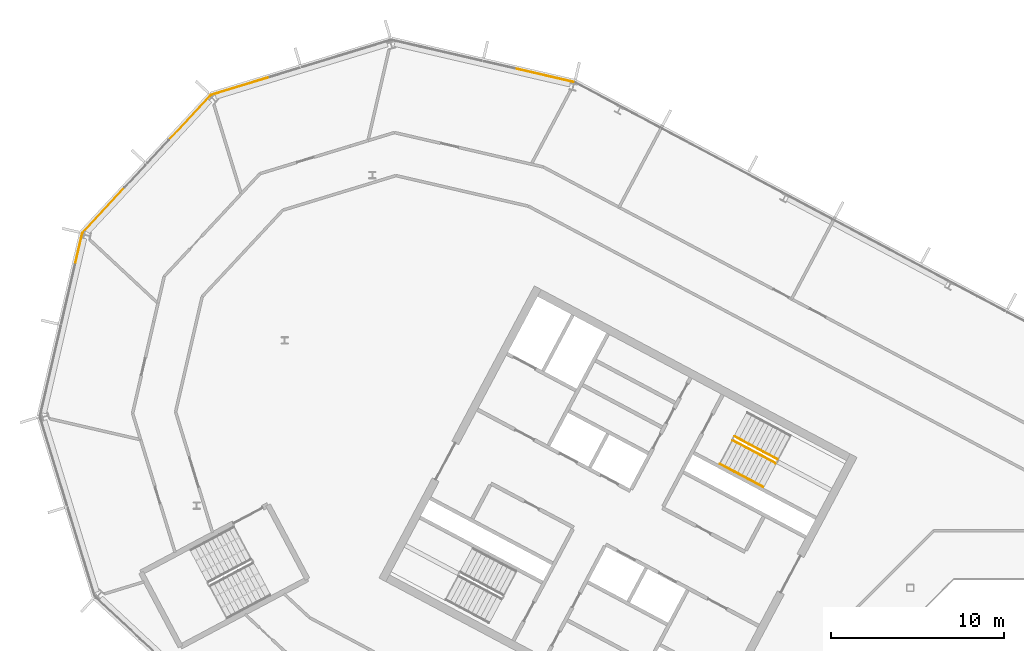
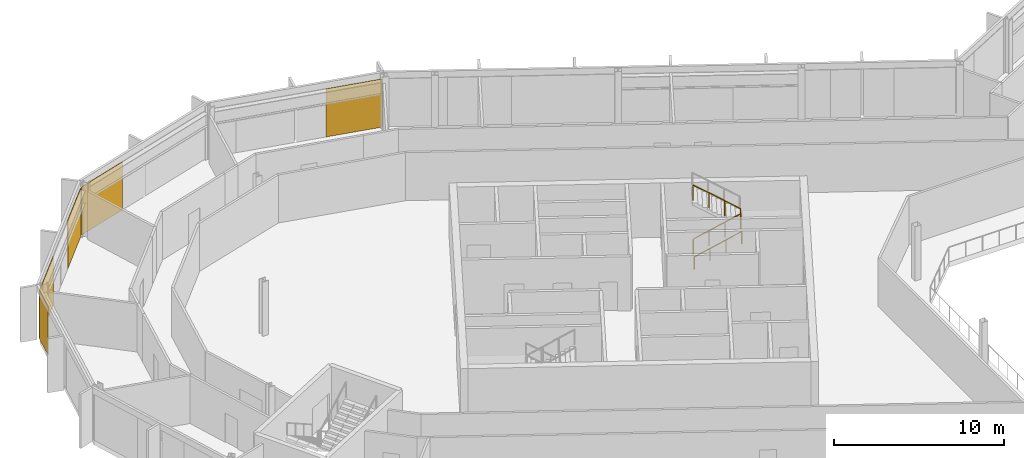
# One storey, part 22 of 26: 5 coverings, 3 railings, 4 elements without a shape of their own.
"""IFC4 building model written with IfcOpenShell, lengths in metres."""

from ifc_helpers import new_model, si_unit, direction, frame, origin, origin_2d, place, context, subcontext, project, spatial, polyline, rectangle, outline, extrude, material, layer, layer_set, type_object, element, aggregate, save


model = new_model("IFC4")

# Units and contexts
model_context = context("Model", 3, precision=1e-05, world=origin(), true_north=direction((0.0, 1.0)))
body_context = subcontext(model_context, "Body", "Model", "MODEL_VIEW")
ifc_project = project(units=[si_unit("LENGTHUNIT", "METRE"), si_unit("AREAUNIT", "SQUARE_METRE"), si_unit("VOLUMEUNIT", "CUBIC_METRE"), si_unit("PLANEANGLEUNIT", "RADIAN"), si_unit("MASSUNIT", "GRAM", prefix="KILO")], contexts=[model_context])

# Site, building, storey
site_placement = place(None, origin())
site = spatial("IfcSite", under=ifc_project, at=site_placement, CompositionType="ELEMENT")
building_placement = place(site_placement, origin())
building = spatial("IfcBuilding", under=site, at=building_placement, Name="Cormorant Relay Tower", CompositionType="ELEMENT")
storey_placement = place(building_placement, frame((0.0, 0.0, 316.5)))
storey = spatial("IfcBuildingStorey", under=building, at=storey_placement, Name="L72", CompositionType="ELEMENT", Elevation=316.5)

# Curtain wall, covering
ifc_material_1 = material(Name="Aluminium 6063-T6 anodised bronze", Category="aluminium")
ifc_layer_1 = layer(ifc_material_1, 0.199951171875)
ifc_layer_set_1 = layer_set([ifc_layer_1], Name="CW1 unitised bronze curtain wall with vertical fins")
curtain_wall_type = type_object("IfcCurtainWallType", Name="CW1 unitised bronze curtain wall with vertical fins", PredefinedType="NOTDEFINED", material=ifc_layer_set_1)
curtain_wall_1_placement = place(storey_placement, origin())
curtain_wall_1 = element("IfcCurtainWall", 1, at=curtain_wall_1_placement, inside=storey, type_object=curtain_wall_type, Name="CW1 curtain wall 10", PredefinedType="NOTDEFINED")
ifc_material_2 = material(Name="Pale bronze anodised aluminium insulated panel", Category="aluminium")
ifc_layer_2 = layer(ifc_material_2, 0.0400390625)
ifc_layer_set_2 = layer_set([ifc_layer_2], Name="CW1 pale bronze insulated panel 40")
covering_type = type_object("IfcCoveringType", Name="CW1 pale bronze insulated panel 40", PredefinedType="CLADDING", material=ifc_layer_set_2)
covering_1_placement = place(storey_placement, frame((-31.640380859375, 40.096435546875, 0.0), z_axis=(0.0, 0.0, 1.0), x_axis=(-0.974370064785, 0.224951054344, 0.0)))
covering_1 = element("IfcCovering", 2, at=covering_1_placement, type_object=covering_type, Name="CW1 panel S00", PredefinedType="CLADDING", context=body_context, shape_type="SweptSolid", body=[
    extrude(rectangle(XDim=3.485107421875, YDim=0.0400390625, at=origin_2d()), origin(), (0.0, 0.0, 1.0), 3.449951171875),
])
aggregate(curtain_wall_1, [covering_1])

curtain_wall_2_placement = place(storey_placement, origin())
curtain_wall_2 = element("IfcCurtainWall", 3, at=curtain_wall_2_placement, inside=storey, type_object=curtain_wall_type, Name="CW1 curtain wall 11", PredefinedType="NOTDEFINED")
covering_2_placement = place(storey_placement, frame((-49.16455078125, 39.474853515625, 0.0), z_axis=(0.0, 0.0, 1.0), x_axis=(-0.956304755963, -0.292371704723, 0.0)))
covering_2 = element("IfcCovering", 4, at=covering_2_placement, type_object=covering_type, Name="CW1 panel S02", PredefinedType="CLADDING", context=body_context, shape_type="SweptSolid", body=[
    extrude(rectangle(XDim=3.560302734375, YDim=0.0400390625, at=origin_2d()), origin(), (0.0, 0.0, 1.0), 3.449951171875),
])
aggregate(curtain_wall_2, [covering_2])

# Curtain wall, coverings
curtain_wall_3_placement = place(storey_placement, origin())
curtain_wall_3 = element("IfcCurtainWall", 5, at=curtain_wall_3_placement, inside=storey, type_object=curtain_wall_type, Name="CW1 curtain wall 12", PredefinedType="NOTDEFINED")
covering_3_placement = place(storey_placement, frame((-52.115234375, 37.61962890625, 0.0), z_axis=(0.0, 0.0, 1.0), x_axis=(-0.681998360062, -0.731353701619, 0.0)))
covering_3 = element("IfcCovering", 6, at=covering_3_placement, type_object=covering_type, Name="CW1 panel S00", PredefinedType="CLADDING", context=body_context, shape_type="SweptSolid", body=[
    extrude(rectangle(XDim=3.485107421875, YDim=0.0400390625, at=origin_2d()), origin(), (0.0, 0.0, 1.0), 3.449951171875),
])
covering_4_placement = place(storey_placement, frame((-57.0751953125, 32.300537109375, 0.0), z_axis=(0.0, 0.0, 1.0), x_axis=(-0.681998360062, -0.731353701619, 0.0)))
covering_4 = element("IfcCovering", 7, at=covering_4_placement, type_object=covering_type, Name="CW1 panel S03", PredefinedType="CLADDING", context=body_context, shape_type="SweptSolid", body=[
    extrude(rectangle(XDim=3.560302734375, YDim=0.0400390625, at=origin_2d()), origin(), (0.0, 0.0, 1.0), 3.449951171875),
])
aggregate(curtain_wall_3, [covering_3, covering_4])

# Curtain wall, covering
curtain_wall_4_placement = place(storey_placement, origin())
curtain_wall_4 = element("IfcCurtainWall", 8, at=curtain_wall_4_placement, inside=storey, type_object=curtain_wall_type, Name="CW1 curtain wall 13", PredefinedType="NOTDEFINED")
covering_5_placement = place(storey_placement, frame((-58.50048828125, 30.095458984375, 0.0), z_axis=(0.0, 0.0, 1.0), x_axis=(-0.224951054344, -0.974370064785, 0.0)))
covering_5 = element("IfcCovering", 9, at=covering_5_placement, type_object=covering_type, Name="CW1 panel S00", PredefinedType="CLADDING", context=body_context, shape_type="SweptSolid", body=[
    extrude(rectangle(XDim=1.685302734375, YDim=0.0400390625, at=origin_2d()), origin(), (0.0, 0.0, 1.0), 3.449951171875),
])
aggregate(curtain_wall_4, [covering_5])

# Railings
ifc_material_3 = material(Name="Steel ASTM A572 Grade 50 (Fy 345 MPa)", Category="steel")
railing_type_1 = type_object("IfcRailingType", Name="Stair guard 1100", PredefinedType="GUARDRAIL", material=ifc_material_3)
railing_1_placement = place(storey_placement, frame((-20.75048828125, 19.017822265625, 0.17724609375)))
element("IfcRailing", 10, at=railing_1_placement, inside=storey, type_object=railing_type_1, Name="L72 A1 stair guard 1", PredefinedType="GUARDRAIL", context=body_context, shape_type="SweptSolid", body=[
    extrude(outline(polyline([(0.022216796875, 0.00927734375), (0.00927734375, 0.022216796875), (-0.00927734375, 0.022216796875), (-0.022216796875, 0.00927734375), (-0.022216796875, -0.00927734375), (-0.00927734375, -0.022216796875), (0.00927734375, -0.022216796875), (0.022216796875, -0.00927734375), (0.022216796875, 0.00927734375)])), frame((0.0, 0.0, 1.076171875), z_axis=(0.746001213114, -0.396649272309, 0.534931345884), x_axis=(0.469465464807, 0.882950835185, 0.0)), (0.0, 0.0, 1.0), 3.31396484375),
    extrude(outline(polyline([(0.019287109375, 0.008056640625), (0.008056640625, 0.019287109375), (-0.008056640625, 0.019287109375), (-0.019287109375, 0.008056640625), (-0.019287109375, -0.008056640625), (-0.008056640625, -0.019287109375), (0.008056640625, -0.019287109375), (0.019287109375, -0.008056640625), (0.019287109375, 0.008056640625)])), origin(), (0.0, 0.0, 1.0), 1.052001953125),
    extrude(outline(polyline([(0.019287109375, 0.008056640625), (0.008056640625, 0.019287109375), (-0.008056640625, 0.019287109375), (-0.019287109375, 0.008056640625), (-0.019287109375, -0.008056640625), (-0.008056640625, -0.019287109375), (0.008056640625, -0.019287109375), (0.019287109375, -0.008056640625), (0.019287109375, 0.008056640625)])), frame((0.823974609375, -0.438232421875, 0.5908203125)), (0.0, 0.0, 1.0), 1.052001953125),
    extrude(outline(polyline([(0.019287109375, 0.008056640625), (0.008056640625, 0.019287109375), (-0.008056640625, 0.019287109375), (-0.019287109375, 0.008056640625), (-0.019287109375, -0.008056640625), (-0.008056640625, -0.019287109375), (0.008056640625, -0.019287109375), (0.019287109375, -0.008056640625), (0.019287109375, 0.008056640625)])), frame((1.648193359375, -0.876220703125, 1.181884765625)), (0.0, 0.0, 1.0), 1.052001953125),
    extrude(outline(polyline([(0.019287109375, 0.008056640625), (0.008056640625, 0.019287109375), (-0.008056640625, 0.019287109375), (-0.019287109375, 0.008056640625), (-0.019287109375, -0.008056640625), (-0.008056640625, -0.019287109375), (0.008056640625, -0.019287109375), (0.019287109375, -0.008056640625), (0.019287109375, 0.008056640625)])), frame((2.47216796875, -1.314453125, 1.772705078125)), (0.0, 0.0, 1.0), 1.052001953125),
])
railing_2_placement = place(storey_placement, frame((-18.160888671875, 17.924072265625, 2.127197265625)))
element("IfcRailing", 11, at=railing_2_placement, inside=storey, type_object=railing_type_1, Name="L72 A1 stair guard 3", PredefinedType="GUARDRAIL", context=body_context, shape_type="SweptSolid", body=[
    extrude(outline(polyline([(0.022216796875, 0.00927734375), (0.00927734375, 0.022216796875), (-0.00927734375, 0.022216796875), (-0.022216796875, 0.00927734375), (-0.022216796875, -0.00927734375), (-0.00927734375, -0.022216796875), (0.00927734375, -0.022216796875), (0.022216796875, -0.00927734375), (0.022216796875, 0.00927734375)])), frame((0.0, 0.0, 1.076171875), z_axis=(-0.746033882577, 0.396627473466, 0.534901947407), x_axis=(-0.469429322983, -0.882970050864, 0.0)), (0.0, 0.0, 1.0), 3.31396484375),
    extrude(outline(polyline([(0.019287109375, 0.008056640625), (0.008056640625, 0.019287109375), (-0.008056640625, 0.019287109375), (-0.019287109375, 0.008056640625), (-0.019287109375, -0.008056640625), (-0.008056640625, -0.019287109375), (0.008056640625, -0.019287109375), (0.019287109375, -0.008056640625), (0.019287109375, 0.008056640625)])), origin(), (0.0, 0.0, 1.0), 1.052001953125),
    extrude(outline(polyline([(0.019287109375, 0.008056640625), (0.008056640625, 0.019287109375), (-0.008056640625, 0.019287109375), (-0.019287109375, 0.008056640625), (-0.019287109375, -0.008056640625), (-0.008056640625, -0.019287109375), (0.008056640625, -0.019287109375), (0.019287109375, -0.008056640625), (0.019287109375, 0.008056640625)])), frame((-0.82421875, 0.438232421875, 0.5908203125)), (0.0, 0.0, 1.0), 1.052001953125),
    extrude(outline(polyline([(0.019287109375, 0.008056640625), (0.008056640625, 0.019287109375), (-0.008056640625, 0.019287109375), (-0.019287109375, 0.008056640625), (-0.019287109375, -0.008056640625), (-0.008056640625, -0.019287109375), (0.008056640625, -0.019287109375), (0.019287109375, -0.008056640625), (0.019287109375, 0.008056640625)])), frame((-1.648193359375, 0.876220703125, 1.181884765625)), (0.0, 0.0, 1.0), 1.052001953125),
    extrude(outline(polyline([(0.019287109375, 0.008056640625), (0.008056640625, 0.019287109375), (-0.008056640625, 0.019287109375), (-0.019287109375, 0.008056640625), (-0.019287109375, -0.008056640625), (-0.008056640625, -0.019287109375), (0.008056640625, -0.019287109375), (0.019287109375, -0.008056640625), (0.019287109375, 0.008056640625)])), frame((-2.472412109375, 1.314453125, 1.772705078125)), (0.0, 0.0, 1.0), 1.052001953125),
])
ifc_material_4 = material(Name="Steel ASTM A572 Grade 50 (Fy 345 MPa)", Category="steel")
railing_type_2 = type_object("IfcRailingType", Name="Stair handrail 900", PredefinedType="HANDRAIL", material=ifc_material_4)
railing_3_placement = place(storey_placement, frame((-21.478271484375, 17.6494140625, 0.17724609375)))
element("IfcRailing", 12, at=railing_3_placement, inside=storey, type_object=railing_type_2, Name="L72 A1 stair handrail 1", PredefinedType="HANDRAIL", context=body_context, shape_type="SweptSolid", body=[
    extrude(outline(polyline([(0.022216796875, 0.00927734375), (0.00927734375, 0.022216796875), (-0.00927734375, 0.022216796875), (-0.022216796875, 0.00927734375), (-0.022216796875, -0.00927734375), (-0.00927734375, -0.022216796875), (0.00927734375, -0.022216796875), (0.022216796875, -0.00927734375), (0.022216796875, 0.00927734375)])), frame((0.0, 0.0, 0.8759765625), z_axis=(0.746012083385, -0.396689549623, 0.534886317514), x_axis=(0.469497295046, 0.882933910293, 0.0)), (0.0, 0.0, 1.0), 3.314208984375),
    extrude(outline(polyline([(0.019287109375, 0.008056640625), (0.008056640625, 0.019287109375), (-0.008056640625, 0.019287109375), (-0.019287109375, 0.008056640625), (-0.019287109375, -0.008056640625), (-0.008056640625, -0.019287109375), (0.008056640625, -0.019287109375), (0.019287109375, -0.008056640625), (0.019287109375, 0.008056640625)])), origin(), (0.0, 0.0, 1.0), 0.851806640625),
    extrude(outline(polyline([(0.019287109375, 0.008056640625), (0.008056640625, 0.019287109375), (-0.008056640625, 0.019287109375), (-0.019287109375, 0.008056640625), (-0.019287109375, -0.008056640625), (-0.008056640625, -0.019287109375), (0.008056640625, -0.019287109375), (0.019287109375, -0.008056640625), (0.019287109375, 0.008056640625)])), frame((0.82421875, -0.438232421875, 0.5908203125)), (0.0, 0.0, 1.0), 0.851806640625),
    extrude(outline(polyline([(0.019287109375, 0.008056640625), (0.008056640625, 0.019287109375), (-0.008056640625, 0.019287109375), (-0.019287109375, 0.008056640625), (-0.019287109375, -0.008056640625), (-0.008056640625, -0.019287109375), (0.008056640625, -0.019287109375), (0.019287109375, -0.008056640625), (0.019287109375, 0.008056640625)])), frame((1.648193359375, -0.87646484375, 1.181884765625)), (0.0, 0.0, 1.0), 0.851806640625),
    extrude(outline(polyline([(0.019287109375, 0.008056640625), (0.008056640625, 0.019287109375), (-0.008056640625, 0.019287109375), (-0.019287109375, 0.008056640625), (-0.019287109375, -0.008056640625), (-0.008056640625, -0.019287109375), (0.008056640625, -0.019287109375), (0.019287109375, -0.008056640625), (0.019287109375, 0.008056640625)])), frame((2.472412109375, -1.314697265625, 1.772705078125)), (0.0, 0.0, 1.0), 0.851806640625),
])

save(model, "model.ifc")
